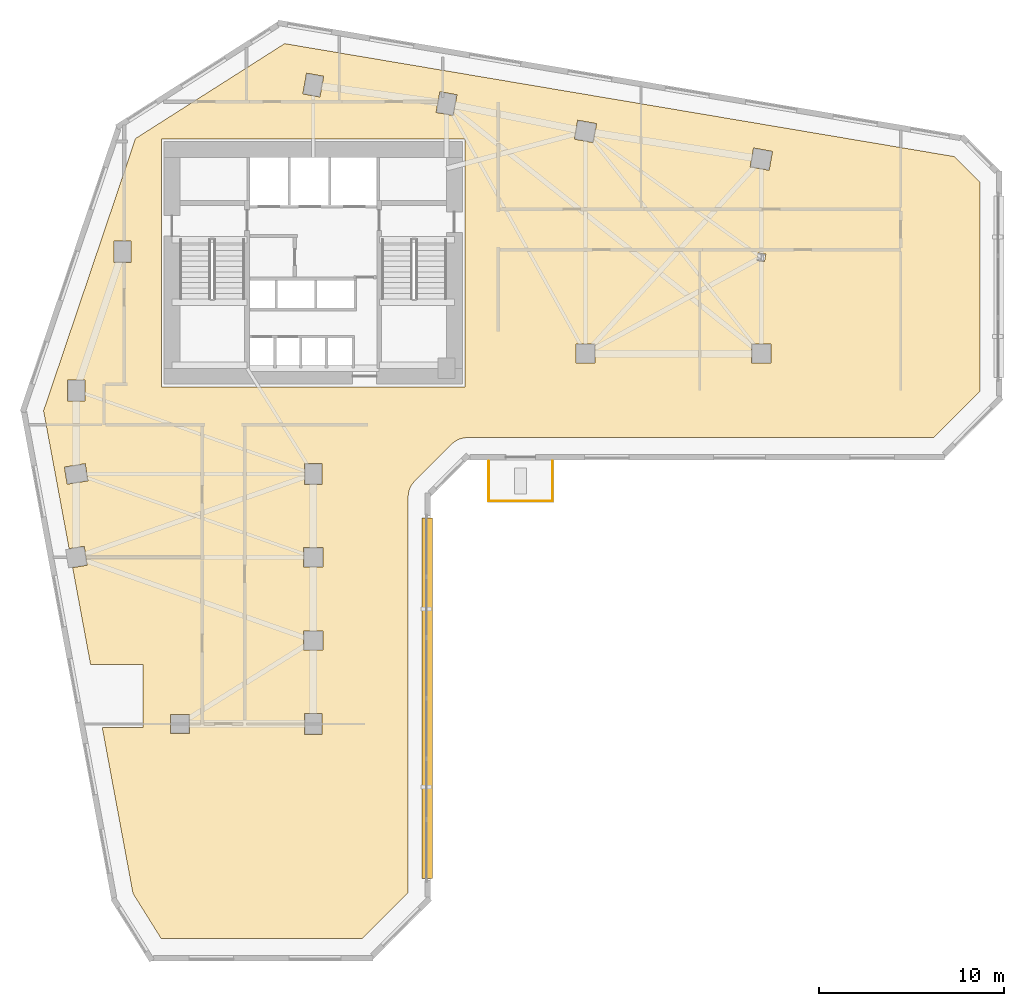
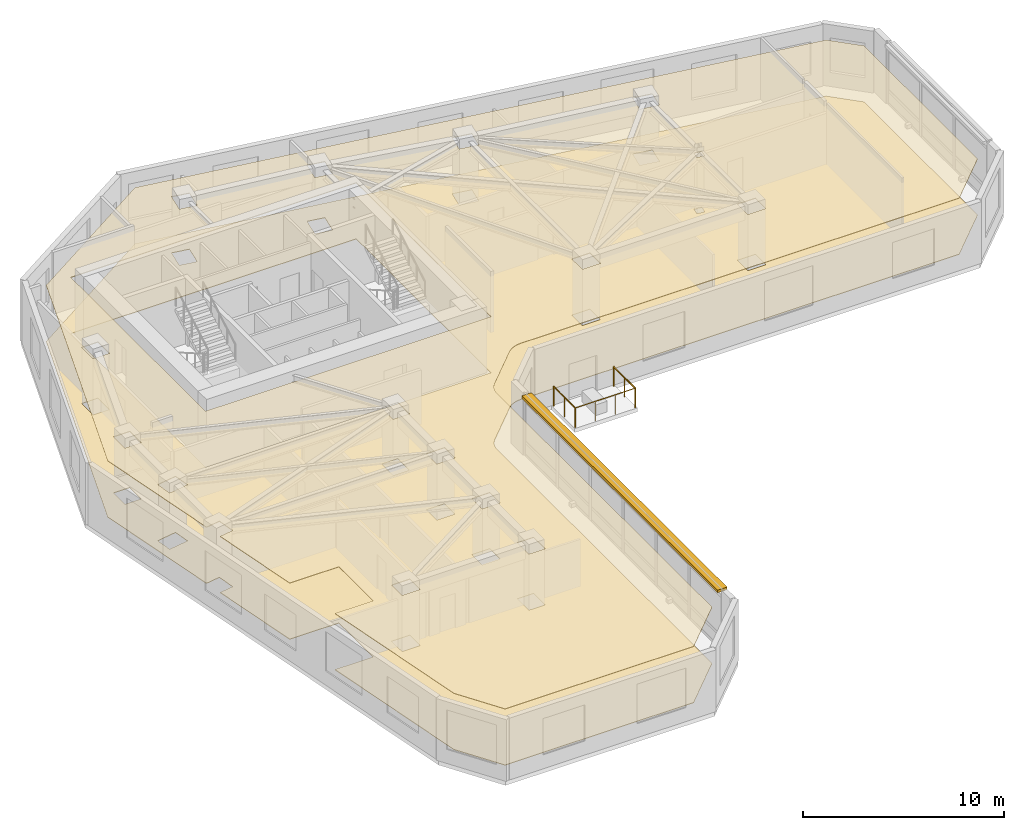
# One storey, part 10 of 12: 3 railings, 2 coverings, 1 shading device.
"""IFC4 building model written with IfcOpenShell, lengths in metres."""

from ifc_helpers import new_model, si_unit, direction, frame, frame_2d, origin, origin_2d, place, context, subcontext, project, spatial, polyline, rectangle, circle, outline, extrude, material, layer, layer_set, type_object, element, save


model = new_model("IFC4")

# Units and contexts
model_context = context("Model", 3, precision=1e-05, world=origin(), true_north=direction((0.0, 1.0)))
body_context = subcontext(model_context, "Body", "Model", "MODEL_VIEW")
ifc_project = project(units=[si_unit("LENGTHUNIT", "METRE"), si_unit("AREAUNIT", "SQUARE_METRE"), si_unit("VOLUMEUNIT", "CUBIC_METRE"), si_unit("PLANEANGLEUNIT", "RADIAN"), si_unit("MASSUNIT", "GRAM", prefix="KILO")], contexts=[model_context])

# Site, building, storey
site_placement = place(None, origin())
site = spatial("IfcSite", under=ifc_project, at=site_placement, CompositionType="ELEMENT")
building_placement = place(site_placement, origin())
building = spatial("IfcBuilding", under=site, at=building_placement, Name="Calvemar Wedge Station Tower", CompositionType="ELEMENT")
storey_placement = place(building_placement, frame((0.0, 0.0, 39.0)))
storey = spatial("IfcBuildingStorey", under=building, at=storey_placement, Name="L09", CompositionType="ELEMENT", Elevation=39.0)

# Coverings
ifc_material_1 = material(Name="Acoustic mineral fibre ceiling board")
ifc_layer_1 = layer(ifc_material_1, 0.0400390625)
ifc_layer_set_1 = layer_set([ifc_layer_1], Name="Acoustic mineral fibre ceiling board")
covering_type_1 = type_object("IfcCoveringType", Name="COV-CEIL-ACOUSTIC", PredefinedType="CEILING", material=ifc_layer_set_1)
covering_1_placement = place(storey_placement, frame((0.0, 0.0, 3.39990234375)))
element("IfcCovering", 1, at=covering_1_placement, inside=storey, type_object=covering_type_1, Name="Storey L09 Acoustic Suspended Ceiling", PredefinedType="CEILING", context=body_context, shape_type="SweptSolid", body=[
    extrude(outline(polyline([(29.279541015625, 28.1083984375), (31.279541015625, 30.1083984375), (31.36669921875, 30.1875), (31.461181640625, 30.2578125), (31.562255859375, 30.318359375), (31.668701171875, 30.36865234375), (31.77978515625, 30.408203125), (31.893798828125, 30.43701171875), (32.010498046875, 30.4541015625), (32.1279296875, 30.4599609375), (57.302978515625, 30.4599609375), (59.800048828125, 32.95703125), (59.800048828125, 44.262939453125), (58.422607421875, 45.640380859375), (22.255126953125, 51.739990234375), (14.201416015625, 46.614990234375), (9.23681640625, 31.911865234375), (10.6162109375, 24.465087890625), (11.43115234375, 24.595703125), (11.595703125, 23.56884765625), (10.805908203125, 23.4423828125), (11.777099609375, 18.199951171875), (14.60009765625, 18.199951171875), (14.60009765625, 14.800048828125), (12.406982421875, 14.800048828125), (14.06640625, 5.8427734375), (15.593017578125, 3.39990234375), (26.430908203125, 3.39990234375), (28.927978515625, 5.897216796875), (28.927978515625, 27.260009765625), (28.933837890625, 27.377685546875), (28.951171875, 27.494140625), (28.979736328125, 27.6083984375), (29.019287109375, 27.71923828125), (29.069580078125, 27.82568359375), (29.130126953125, 27.9267578125), (29.200439453125, 28.021240234375), (29.279541015625, 28.1083984375)]), holes=[polyline([(15.60009765625, 46.60009765625), (32.0, 46.60009765625), (32.0, 33.199951171875), (15.60009765625, 33.199951171875), (15.60009765625, 46.60009765625)]), polyline([(10.530029296875, 32.429931640625), (10.530029296875, 33.570068359375), (11.469970703125, 33.570068359375), (11.469970703125, 32.429931640625), (10.530029296875, 32.429931640625)]), polyline([(13.030029296875, 41.070068359375), (13.969970703125, 41.070068359375), (13.969970703125, 39.929931640625), (13.030029296875, 39.929931640625), (13.030029296875, 41.070068359375)]), polyline([(24.363525390625, 49.977783203125), (24.16162109375, 48.855712890625), (23.236572265625, 49.022216796875), (23.4384765625, 50.144287109375), (24.363525390625, 49.977783203125)]), polyline([(31.361572265625, 47.855712890625), (30.4365234375, 48.022216796875), (30.638427734375, 49.144287109375), (31.5634765625, 48.977783203125), (31.361572265625, 47.855712890625)]), polyline([(37.89599609375, 46.580322265625), (38.080322265625, 47.60400390625), (39.10400390625, 47.419677734375), (38.919677734375, 46.39599609375), (37.89599609375, 46.580322265625)]), polyline([(47.580322265625, 46.10400390625), (48.60400390625, 45.919677734375), (48.419677734375, 44.89599609375), (47.39599609375, 45.080322265625), (47.580322265625, 46.10400390625)]), polyline([(39.02001953125, 35.52001953125), (39.02001953125, 34.47998046875), (37.97998046875, 34.47998046875), (37.97998046875, 35.52001953125), (39.02001953125, 35.52001953125)]), polyline([(48.52001953125, 34.47998046875), (47.47998046875, 34.47998046875), (47.47998046875, 35.52001953125), (48.52001953125, 35.52001953125), (48.52001953125, 34.47998046875)]), polyline([(47.759765625, 40.033935546875), (47.832763671875, 40.439453125), (48.240234375, 40.3662109375), (48.167236328125, 39.960693359375), (47.759765625, 40.033935546875)]), polyline([(11.488525390625, 29.05419921875), (11.63720703125, 28.126220703125), (10.511474609375, 27.94580078125), (10.36279296875, 28.873779296875), (11.488525390625, 29.05419921875)]), polyline([(24.27001953125, 27.929931640625), (23.330078125, 27.929931640625), (23.330078125, 29.070068359375), (24.27001953125, 29.070068359375), (24.27001953125, 27.929931640625)]), polyline([(23.280029296875, 23.47998046875), (23.280029296875, 24.52001953125), (24.320068359375, 24.52001953125), (24.320068359375, 23.47998046875), (23.280029296875, 23.47998046875)]), polyline([(23.280029296875, 20.02001953125), (24.320068359375, 20.02001953125), (24.320068359375, 18.97998046875), (23.280029296875, 18.97998046875), (23.280029296875, 20.02001953125)]), polyline([(24.27001953125, 15.570068359375), (24.27001953125, 14.429931640625), (23.330078125, 14.429931640625), (23.330078125, 15.570068359375), (24.27001953125, 15.570068359375)]), polyline([(17.1201171875, 14.47998046875), (16.080078125, 14.47998046875), (16.080078125, 15.52001953125), (17.1201171875, 15.52001953125), (17.1201171875, 14.47998046875)])]), origin(), (0.0, 0.0, 1.0), 0.0400390625),
])
ifc_material_2 = material(Name="Commercial raised access floor")
ifc_layer_2 = layer(ifc_material_2, 0.030029296875)
ifc_layer_set_2 = layer_set([ifc_layer_2], Name="Commercial raised access floor")
covering_type_2 = type_object("IfcCoveringType", Name="COV-FLR-RAISED", PredefinedType="FLOORING", material=ifc_layer_set_2)
covering_2_placement = place(storey_placement, origin())
element("IfcCovering", 2, at=covering_2_placement, inside=storey, type_object=covering_type_2, Name="Storey L09 Architectural Floor Finish", PredefinedType="FLOORING", context=body_context, shape_type="SweptSolid", body=[
    extrude(outline(polyline([(29.279541015625, 28.1083984375), (31.279541015625, 30.1083984375), (31.36669921875, 30.1875), (31.461181640625, 30.2578125), (31.562255859375, 30.318359375), (31.668701171875, 30.36865234375), (31.77978515625, 30.408203125), (31.893798828125, 30.43701171875), (32.010498046875, 30.4541015625), (32.1279296875, 30.4599609375), (57.302978515625, 30.4599609375), (59.800048828125, 32.95703125), (59.800048828125, 44.262939453125), (58.422607421875, 45.640380859375), (22.255126953125, 51.739990234375), (14.201416015625, 46.614990234375), (9.23681640625, 31.911865234375), (10.6162109375, 24.465087890625), (11.43115234375, 24.595703125), (11.595703125, 23.56884765625), (10.805908203125, 23.4423828125), (11.777099609375, 18.199951171875), (14.60009765625, 18.199951171875), (14.60009765625, 14.800048828125), (12.406982421875, 14.800048828125), (14.06640625, 5.8427734375), (15.593017578125, 3.39990234375), (26.430908203125, 3.39990234375), (28.927978515625, 5.897216796875), (28.927978515625, 27.260009765625), (28.933837890625, 27.377685546875), (28.951171875, 27.494140625), (28.979736328125, 27.6083984375), (29.019287109375, 27.71923828125), (29.069580078125, 27.82568359375), (29.130126953125, 27.9267578125), (29.200439453125, 28.021240234375), (29.279541015625, 28.1083984375)]), holes=[polyline([(15.60009765625, 46.60009765625), (32.0, 46.60009765625), (32.0, 33.199951171875), (15.60009765625, 33.199951171875), (15.60009765625, 46.60009765625)]), polyline([(10.530029296875, 32.429931640625), (10.530029296875, 33.570068359375), (11.469970703125, 33.570068359375), (11.469970703125, 32.429931640625), (10.530029296875, 32.429931640625)]), polyline([(13.030029296875, 41.070068359375), (13.969970703125, 41.070068359375), (13.969970703125, 39.929931640625), (13.030029296875, 39.929931640625), (13.030029296875, 41.070068359375)]), polyline([(24.363525390625, 49.977783203125), (24.16162109375, 48.855712890625), (23.236572265625, 49.022216796875), (23.4384765625, 50.144287109375), (24.363525390625, 49.977783203125)]), polyline([(31.361572265625, 47.855712890625), (30.4365234375, 48.022216796875), (30.638427734375, 49.144287109375), (31.5634765625, 48.977783203125), (31.361572265625, 47.855712890625)]), polyline([(37.89599609375, 46.580322265625), (38.080322265625, 47.60400390625), (39.10400390625, 47.419677734375), (38.919677734375, 46.39599609375), (37.89599609375, 46.580322265625)]), polyline([(47.580322265625, 46.10400390625), (48.60400390625, 45.919677734375), (48.419677734375, 44.89599609375), (47.39599609375, 45.080322265625), (47.580322265625, 46.10400390625)]), polyline([(39.02001953125, 35.52001953125), (39.02001953125, 34.47998046875), (37.97998046875, 34.47998046875), (37.97998046875, 35.52001953125), (39.02001953125, 35.52001953125)]), polyline([(48.52001953125, 34.47998046875), (47.47998046875, 34.47998046875), (47.47998046875, 35.52001953125), (48.52001953125, 35.52001953125), (48.52001953125, 34.47998046875)]), polyline([(47.759765625, 40.033935546875), (47.832763671875, 40.439453125), (48.240234375, 40.3662109375), (48.167236328125, 39.960693359375), (47.759765625, 40.033935546875)]), polyline([(11.488525390625, 29.05419921875), (11.63720703125, 28.126220703125), (10.511474609375, 27.94580078125), (10.36279296875, 28.873779296875), (11.488525390625, 29.05419921875)]), polyline([(24.27001953125, 27.929931640625), (23.330078125, 27.929931640625), (23.330078125, 29.070068359375), (24.27001953125, 29.070068359375), (24.27001953125, 27.929931640625)]), polyline([(23.280029296875, 23.47998046875), (23.280029296875, 24.52001953125), (24.320068359375, 24.52001953125), (24.320068359375, 23.47998046875), (23.280029296875, 23.47998046875)]), polyline([(23.280029296875, 20.02001953125), (24.320068359375, 20.02001953125), (24.320068359375, 18.97998046875), (23.280029296875, 18.97998046875), (23.280029296875, 20.02001953125)]), polyline([(24.27001953125, 15.570068359375), (24.27001953125, 14.429931640625), (23.330078125, 14.429931640625), (23.330078125, 15.570068359375), (24.27001953125, 15.570068359375)]), polyline([(17.1201171875, 14.47998046875), (16.080078125, 14.47998046875), (16.080078125, 15.52001953125), (17.1201171875, 15.52001953125), (17.1201171875, 14.47998046875)])]), origin(), (0.0, 0.0, 1.0), 0.030029296875),
])

# Railings
ifc_material_3 = material(Name="Stainless steel AISI 316L", Category="steel")
railing_type = type_object("IfcRailingType", Name="GRD-TERR-1200", PredefinedType="GUARDRAIL", material=ifc_material_3)
railing_1_placement = place(storey_placement, frame((36.719970703125, 29.179931640625, 0.0)))
element("IfcRailing", 3, at=railing_1_placement, inside=storey, type_object=railing_type, Name="Storey L09 Spiral Terrace Guard 2", PredefinedType="GUARDRAIL", context=body_context, shape_type="SweptSolid", body=[
    extrude(circle(Radius=0.02392578125, at=origin_2d()), frame((0.0, 0.0, 1.17578125), z_axis=(0.0, -1.0, 0.0), x_axis=(1.0, 0.0, 0.0)), (0.0, 0.0, 1.0), 2.139892578125),
    extrude(circle(Radius=0.02099609375, at=origin_2d()), origin(), (0.0, 0.0, 1.0), 1.15185546875),
    extrude(circle(Radius=0.02099609375, at=origin_2d()), frame((0.0, -1.06982421875, 0.0)), (0.0, 0.0, 1.0), 1.15185546875),
    extrude(circle(Radius=0.02099609375, at=origin_2d()), frame((0.0, -2.139892578125, 0.0)), (0.0, 0.0, 1.0), 1.15185546875),
])
railing_2_placement = place(storey_placement, frame((36.719970703125, 27.0400390625, 0.0)))
element("IfcRailing", 4, at=railing_2_placement, inside=storey, type_object=railing_type, Name="Storey L09 Spiral Terrace Guard 3", PredefinedType="GUARDRAIL", context=body_context, shape_type="SweptSolid", body=[
    extrude(circle(Radius=0.02392578125, at=origin_2d()), frame((0.0, 0.0, 1.17578125), z_axis=(-1.0, 0.0, 0.0), x_axis=(0.0, -1.0, 0.0)), (0.0, 0.0, 1.0), 3.43994140625),
    extrude(circle(Radius=0.02099609375, at=origin_2d()), origin(), (0.0, 0.0, 1.0), 1.15185546875),
    extrude(circle(Radius=0.02099609375, at=origin_2d()), frame((-1.146728515625, 0.0, 0.0)), (0.0, 0.0, 1.0), 1.15185546875),
    extrude(circle(Radius=0.02099609375, at=origin_2d()), frame((-2.293212890625, 0.0, 0.0)), (0.0, 0.0, 1.0), 1.15185546875),
    extrude(circle(Radius=0.02099609375, at=origin_2d()), frame((-3.43994140625, 0.0, 0.0)), (0.0, 0.0, 1.0), 1.15185546875),
])
railing_3_placement = place(storey_placement, frame((33.280029296875, 27.0400390625, 0.0)))
element("IfcRailing", 5, at=railing_3_placement, inside=storey, type_object=railing_type, Name="Storey L09 Spiral Terrace Guard 4", PredefinedType="GUARDRAIL", context=body_context, shape_type="SweptSolid", body=[
    extrude(circle(Radius=0.02392578125, at=origin_2d()), frame((0.0, 0.0, 1.17578125), z_axis=(0.0, 1.0, 0.0), x_axis=(-1.0, 0.0, 0.0)), (0.0, 0.0, 1.0), 2.139892578125),
    extrude(circle(Radius=0.02099609375, at=origin_2d()), origin(), (0.0, 0.0, 1.0), 1.15185546875),
    extrude(circle(Radius=0.02099609375, at=origin_2d()), frame((0.0, 1.06982421875, 0.0)), (0.0, 0.0, 1.0), 1.15185546875),
    extrude(circle(Radius=0.02099609375, at=origin_2d()), frame((0.0, 2.139892578125, 0.0)), (0.0, 0.0, 1.0), 1.15185546875),
])

# Shading device
ifc_material_4 = material(Name="Precast concrete C45", Category="concrete")
shading_device_type = type_object("IfcShadingDeviceType", Name="SHD-EYEBROW-1", PredefinedType="SHUTTER", material=ifc_material_4)
shading_device_placement = place(storey_placement, frame((29.9580078125, 6.662109375, 3.570068359375), z_axis=(0.0, 0.0, 1.0), x_axis=(0.0, 1.0, 0.0)))
element("IfcShadingDevice", 6, at=shading_device_placement, inside=storey, type_object=shading_device_type, Name="Storey L09 Bronze GFRC Solar Eyebrow 4", PredefinedType="SHUTTER", context=body_context, shape_type="SweptSolid", body=[
    extrude(rectangle(XDim=19.4599609375, YDim=0.550048828125, at=frame_2d((9.72998046875, 0.0))), origin(), (0.0, 0.0, 1.0), 0.159912109375),
])

save(model, "model.ifc")
